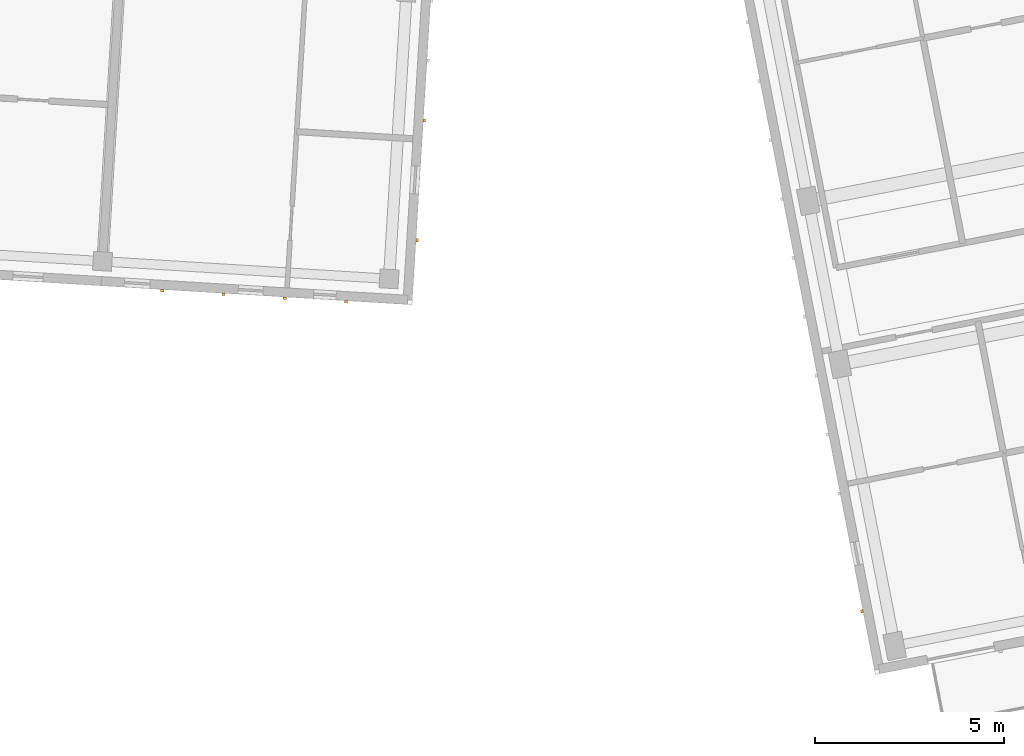
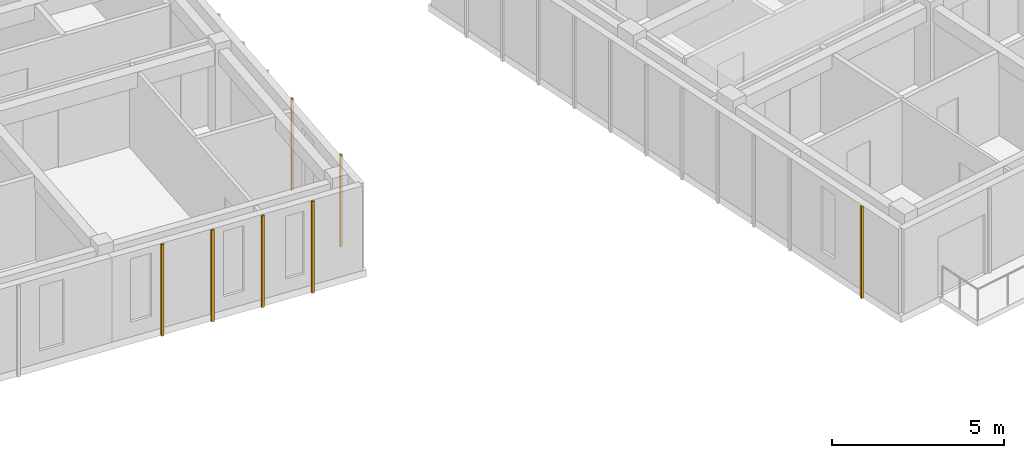
# One storey, part 101 of 127: 7 coverings.
"""IFC4 building model written with IfcOpenShell, lengths in metres."""

from ifc_helpers import new_model, si_unit, direction, frame, origin, origin_2d, place, context, subcontext, project, spatial, rectangle, extrude, material, layer, layer_set, type_object, element, save


model = new_model("IFC4")

# Units and contexts
model_context = context("Model", 3, precision=1e-05, world=origin(), true_north=direction((0.0, 1.0)))
body_context = subcontext(model_context, "Body", "Model", "MODEL_VIEW")
ifc_project = project(units=[si_unit("LENGTHUNIT", "METRE"), si_unit("AREAUNIT", "SQUARE_METRE"), si_unit("VOLUMEUNIT", "CUBIC_METRE"), si_unit("PLANEANGLEUNIT", "RADIAN"), si_unit("MASSUNIT", "GRAM", prefix="KILO")], contexts=[model_context])

# Site, building, storey
site_placement = place(None, origin())
site = spatial("IfcSite", under=ifc_project, at=site_placement, CompositionType="ELEMENT")
building_placement = place(site_placement, origin())
building = spatial("IfcBuilding", under=site, at=building_placement, Name="Kestramere Prow Commons", CompositionType="ELEMENT")
storey_placement = place(building_placement, frame((0.0, 0.0, 8.39990234375)))
storey = spatial("IfcBuildingStorey", under=building, at=storey_placement, Name="L02", CompositionType="ELEMENT", Elevation=8.39990234375)

# Coverings
ifc_material = material(Name="Weathered Zinc-Titanium Standing-Seam Cladding")
ifc_layer = layer(ifc_material, 0.074951171875)
ifc_layer_set = layer_set([ifc_layer], Name="Weathered Zinc-Titanium Standing-Seam Cladding")
covering_type = type_object("IfcCoveringType", Name="COV-CLAD-SEAM", PredefinedType="CLADDING", material=ifc_layer_set)
for number, where, z_axis, x_axis, name in (
    (1, (103.875732421875, 43.107177734375, -0.25), (0.0, 0.0, 1.0), (-0.998134798422, 0.061048539535, 0.0), "EW-C-L02-S-5 Standing-Seam Rib 1"),
    (2, (102.253662109375, 43.206298828125, -0.25), (0.0, 0.0, 1.0), (-0.998134798422, 0.061048539535, 0.0), "EW-C-L02-S-5 Standing-Seam Rib 2"),
    (3, (100.631591796875, 43.305419921875, -0.25), (0.0, 0.0, 1.0), (-0.998134798422, 0.061048539535, 0.0), "EW-C-L02-S-5 Standing-Seam Rib 3"),
    (4, (99.009765625, 43.40478515625, -0.25), (0.0, 0.0, 1.0), (-0.998134798422, 0.061048539535, 0.0), "EW-C-L02-S-5 Standing-Seam Rib 4"),
    (5, (105.949951171875, 47.9072265625, -0.25), (0.0, 0.0, 1.0), (-0.061048539535, -0.998134798422, 0.0), "EW-C-L02-EAV Standing-Seam Rib 10"),
    (6, (105.756103515625, 44.736328125, -0.25), (0.0, 0.0, 1.0), (-0.061048539535, -0.998134798422, 0.0), "EW-C-L02-EAV Standing-Seam Rib 12"),
    (7, (117.531982421875, 34.91455078125, -0.25), (0.0, 0.0, 1.0), (-0.190808995377, 0.981627183448, 0.0), "EW-D-L02-EAV Standing-Seam Rib 1"),
):
    element("IfcCovering", number, at=place(storey_placement, frame(where, z_axis=z_axis, x_axis=x_axis)), inside=storey, type_object=covering_type, Name=name, PredefinedType="CLADDING", context=body_context, shape_type="SweptSolid", body=[
        extrude(rectangle(XDim=0.0849609375, YDim=0.06494140625, at=origin_2d()), origin(), (0.0, 0.0, 1.0), 3.25),
    ])

save(model, "model.ifc")
